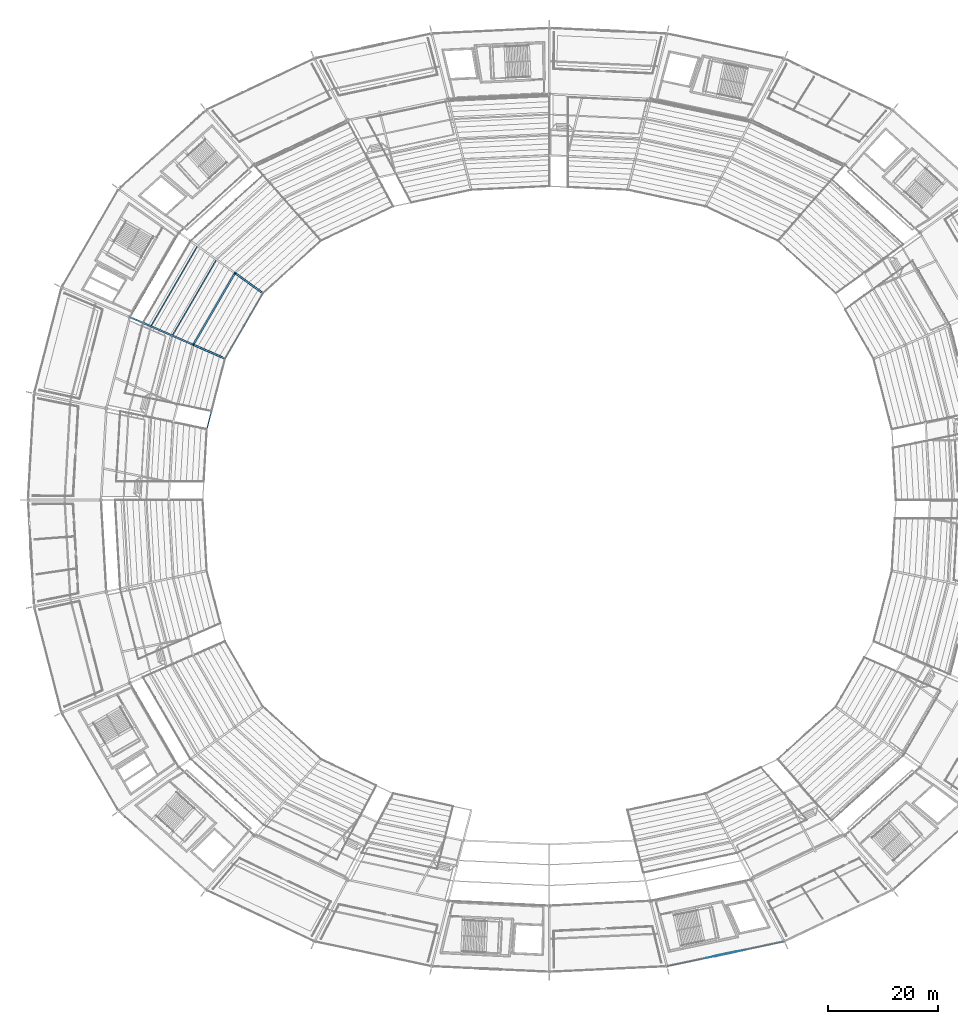
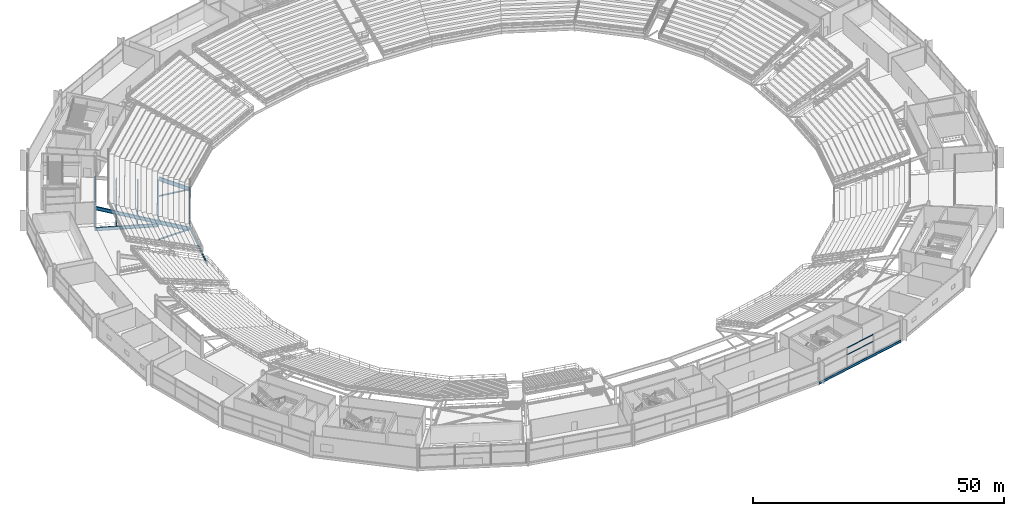
# One storey, part 56 of 186: 11 beams, 4 members, 1 element without a shape of its own.
"""IFC4 building model written with IfcOpenShell, lengths in metres."""

from ifc_helpers import new_model, si_unit, direction, frame, origin, origin_2d, place, context, subcontext, project, spatial, hollow_rectangle, hollow_circle, i_section, extrude, material, layer, layer_set, material_profile, profile_set, type_object, element, aggregate, save


model = new_model("IFC4")

# Units and contexts
model_context = context("Model", 3, precision=1e-05, world=origin(), true_north=direction((0.0, 1.0)))
body_context = subcontext(model_context, "Body", "Model", "MODEL_VIEW")
ifc_project = project(units=[si_unit("LENGTHUNIT", "METRE"), si_unit("AREAUNIT", "SQUARE_METRE"), si_unit("VOLUMEUNIT", "CUBIC_METRE"), si_unit("PLANEANGLEUNIT", "RADIAN"), si_unit("MASSUNIT", "GRAM", prefix="KILO")], contexts=[model_context])

# Site, building, storey
site_placement = place(None, origin())
site = spatial("IfcSite", under=ifc_project, at=site_placement, CompositionType="ELEMENT")
building_placement = place(site_placement, origin())
building = spatial("IfcBuilding", under=site, at=building_placement, Name="Kazemori Nagisa Stadium", CompositionType="ELEMENT")
storey_placement = place(building_placement, frame((0.0, 0.0, 20.39990234375)))
storey = spatial("IfcBuildingStorey", under=building, at=storey_placement, Name="L04", CompositionType="ELEMENT", Elevation=20.39990234375)

# Beams
ifc_material_1 = material(Name="Steel SN490B", Category="steel")
ifc_material_profile_1 = material_profile(ifc_material_1, i_section(OverallWidth=0.300048828125, OverallDepth=0.800048828125, WebThickness=0.013916015625, FlangeThickness=0.02587890625, FilletRadius=0.01806640625, at=origin_2d()), Name="H-800x300x14x26")
ifc_profile_set_1 = profile_set([ifc_material_profile_1], Name="Steel SN490B")
beam_type_1 = type_object("IfcBeamType", Name="Beam_BG-H800", PredefinedType="BEAM", material=ifc_profile_set_1)
beam_1_placement = place(storey_placement, frame((65.698486328125, 143.367431640625, -0.699951171875), z_axis=(-0.501613453924, -0.865091869597, 0.0), x_axis=(0.865091869597, -0.501613453924, 0.0)))
element("IfcBeam", 1, at=beam_1_placement, inside=storey, type_object=beam_type_1, Name="Ring girder BG-H800 L04 R1-12", PredefinedType="BEAM", context=body_context, shape_type="SweptSolid", body=[
    extrude(i_section(OverallWidth=0.300048828125, OverallDepth=0.800048828125, WebThickness=0.013916015625, FlangeThickness=0.02587890625, FilletRadius=0.01806640625, at=origin_2d()), origin(), (0.0, 0.0, 1.0), 15.1201171875),
])
beam_2_placement = place(storey_placement, frame((58.114013671875, 130.287109375, -0.699951171875), z_axis=(-0.916671768981, 0.399640923771, 0.0), x_axis=(-0.399640923771, -0.916671768981, 0.0)))
element("IfcBeam", 2, at=beam_2_placement, inside=storey, type_object=beam_type_1, Name="Radial girder BG-H800 L04 R1-R2-13", PredefinedType="BEAM", context=body_context, shape_type="SweptSolid", body=[
    extrude(i_section(OverallWidth=0.300048828125, OverallDepth=0.800048828125, WebThickness=0.013916015625, FlangeThickness=0.02587890625, FilletRadius=0.01806640625, at=origin_2d()), origin(), (0.0, 0.0, 1.0), 12.605224609375),
])
ifc_material_profile_2 = material_profile(ifc_material_1, i_section(OverallWidth=0.300048828125, OverallDepth=0.89990234375, WebThickness=0.01611328125, FlangeThickness=0.028076171875, FilletRadius=0.01806640625, at=origin_2d()), Name="H-900x300x16x28")
ifc_profile_set_2 = profile_set([ifc_material_profile_2], Name="Steel SN490B")
beam_type_2 = type_object("IfcBeamType", Name="Beam_BG-H900", PredefinedType="BEAM", material=ifc_profile_set_2)
beam_3_placement = place(storey_placement, frame((55.493896484375, 150.734130859375, -0.75), z_axis=(-0.501606704589, -0.865095783085, 0.0), x_axis=(0.865095783085, -0.501606704589, 0.0)))
element("IfcBeam", 3, at=beam_3_placement, inside=storey, type_object=beam_type_2, Name="Ring girder BG-H900 L04 R2-12", PredefinedType="BEAM", context=body_context, shape_type="SweptSolid", body=[
    extrude(i_section(OverallWidth=0.300048828125, OverallDepth=0.89990234375, WebThickness=0.01611328125, FlangeThickness=0.028076171875, FilletRadius=0.01806640625, at=origin_2d()), origin(), (0.0, 0.0, 1.0), 17.8125),
])
ifc_material_profile_3 = material_profile(ifc_material_1, i_section(OverallWidth=0.199951171875, OverallDepth=0.39990234375, WebThickness=0.008056640625, FlangeThickness=0.012939453125, FilletRadius=0.012939453125, at=origin_2d()), Name="H-400x200x8x13")
ifc_profile_set_3 = profile_set([ifc_material_profile_3], Name="Steel SN490B")
beam_type_3 = type_object("IfcBeamType", Name="Beam_BJ-H400", PredefinedType="JOIST", material=ifc_profile_set_3)
beam_4_placement = place(storey_placement, frame((62.250244140625, 145.6787109375, -0.5), z_axis=(-0.501603039788, -0.865097908028, 0.0), x_axis=(0.865097908028, -0.501603039788, 0.0)))
element("IfcBeam", 4, at=beam_4_placement, inside=storey, type_object=beam_type_3, Name="Concourse joist BJ-H400 L04 B12-1", PredefinedType="JOIST", context=body_context, shape_type="SweptSolid", body=[
    extrude(i_section(OverallWidth=0.199951171875, OverallDepth=0.39990234375, WebThickness=0.008056640625, FlangeThickness=0.012939453125, FilletRadius=0.012939453125, at=origin_2d()), origin(), (0.0, 0.0, 1.0), 15.720703125),
])
beam_5_placement = place(storey_placement, frame((58.796630859375, 148.172119140625, -0.5), z_axis=(-0.501611321485, -0.865093106063, 0.0), x_axis=(0.865093106063, -0.501611321485, 0.0)))
element("IfcBeam", 5, at=beam_5_placement, inside=storey, type_object=beam_type_3, Name="Concourse joist BJ-H400 L04 B12-2", PredefinedType="JOIST", context=body_context, shape_type="SweptSolid", body=[
    extrude(i_section(OverallWidth=0.199951171875, OverallDepth=0.39990234375, WebThickness=0.008056640625, FlangeThickness=0.012939453125, FilletRadius=0.012939453125, at=origin_2d()), origin(), (0.0, 0.0, 1.0), 16.6318359375),
])
ifc_material_profile_4 = material_profile(ifc_material_1, i_section(OverallWidth=0.199951171875, OverallDepth=0.60009765625, WebThickness=0.010986328125, FlangeThickness=0.01708984375, FilletRadius=0.012939453125, at=origin_2d()), Name="H-600x200x11x17")
ifc_profile_set_4 = profile_set([ifc_material_profile_4], Name="Steel SN490B")
beam_type_4 = type_object("IfcBeamType", Name="Beam_BS-H600", PredefinedType="SPANDREL", material=ifc_profile_set_4)
beam_6_placement = place(storey_placement, frame((144.427734375, 17.01318359375, -0.599853515625), z_axis=(0.97834587432, 0.206976689994, 0.0), x_axis=(-0.206976689994, 0.97834587432, 0.0)))
element("IfcBeam", 6, at=beam_6_placement, inside=storey, type_object=beam_type_4, Name="Ring girder BS-H600 L04 R3-23", PredefinedType="SPANDREL", context=body_context, shape_type="SweptSolid", body=[
    extrude(i_section(OverallWidth=0.199951171875, OverallDepth=0.60009765625, WebThickness=0.010986328125, FlangeThickness=0.01708984375, FilletRadius=0.012939453125, at=origin_2d()), origin(), (0.0, 0.0, 1.0), 21.85009765625),
])
beam_7_placement = place(storey_placement, frame((70.800537109375, 139.68408203125, -1.885009765625), z_axis=(-0.501605611908, -0.865096416651, 0.0), x_axis=(0.865096416651, -0.501605611908, 0.0)))
element("IfcBeam", 7, at=beam_7_placement, inside=storey, type_object=beam_type_4, Name="Upper tier front ring beam 12", PredefinedType="SPANDREL", context=body_context, shape_type="SweptSolid", body=[
    extrude(i_section(OverallWidth=0.199951171875, OverallDepth=0.60009765625, WebThickness=0.010986328125, FlangeThickness=0.01708984375, FilletRadius=0.012939453125, at=origin_2d()), origin(), (0.0, 0.0, 1.0), 13.773681640625),
])
beam_8_placement = place(storey_placement, frame((63.8916015625, 127.7685546875, -1.885009765625), z_axis=(-0.249962460732, -0.968255528373, 0.0), x_axis=(0.968255528373, -0.249962460732, 0.0)))
element("IfcBeam", 8, at=beam_8_placement, inside=storey, type_object=beam_type_4, Name="Upper tier front ring beam 13", PredefinedType="SPANDREL", context=body_context, shape_type="SweptSolid", body=[
    extrude(i_section(OverallWidth=0.199951171875, OverallDepth=0.60009765625, WebThickness=0.010986328125, FlangeThickness=0.01708984375, FilletRadius=0.012939453125, at=origin_2d()), origin(), (0.0, 0.0, 1.0), 13.291015625),
])
ifc_material_profile_5 = material_profile(ifc_material_1, i_section(OverallWidth=0.300048828125, OverallDepth=0.800048828125, WebThickness=0.013916015625, FlangeThickness=0.02587890625, FilletRadius=0.01806640625, at=origin_2d()), Name="H-800x300x14x26")
ifc_profile_set_5 = profile_set([ifc_material_profile_5], Name="Steel SN490B")
beam_type_5 = type_object("IfcBeamType", Name="Beam_RK-ST800", PredefinedType="USERDEFINED", material=ifc_profile_set_5)
beam_9_placement = place(storey_placement, frame((58.114013671875, 130.287109375, 0.02001953125), z_axis=(-0.864815739813, 0.377033277173, 0.331571476571), x_axis=(-0.399640923771, -0.916671768981, 0.0)))
element("IfcBeam", 9, at=beam_9_placement, inside=storey, type_object=beam_type_5, Name="Raker beam upper backspan RK3-13B", ObjectType="RAKER BEAM", PredefinedType="USERDEFINED", context=body_context, shape_type="SweptSolid", body=[
    extrude(i_section(OverallWidth=0.300048828125, OverallDepth=0.800048828125, WebThickness=0.013916015625, FlangeThickness=0.02587890625, FilletRadius=0.01806640625, at=origin_2d()), origin(), (0.0, 0.0, 1.0), 13.361083984375),
])
ifc_material_profile_6 = material_profile(ifc_material_1, i_section(OverallWidth=0.300048828125, OverallDepth=0.89990234375, WebThickness=0.01611328125, FlangeThickness=0.028076171875, FilletRadius=0.01806640625, at=origin_2d()), Name="H-900x300x16x28")
ifc_profile_set_6 = profile_set([ifc_material_profile_6], Name="Steel SN490B")
beam_type_6 = type_object("IfcBeamType", Name="Beam_RK-ST900", PredefinedType="USERDEFINED", material=ifc_profile_set_6)
beam_10_placement = place(storey_placement, frame((70.800537109375, 139.68408203125, -2.14990234375), z_axis=(-0.766497640218, 0.553361560818, 0.325994402635), x_axis=(-0.585337557013, -0.810789704147, 0.0)))
element("IfcBeam", 10, at=beam_10_placement, inside=storey, type_object=beam_type_6, Name="Raker beam upper cantilever RK3-12A", ObjectType="RAKER BEAM", PredefinedType="USERDEFINED", context=body_context, shape_type="SweptSolid", body=[
    extrude(i_section(OverallWidth=0.300048828125, OverallDepth=0.89990234375, WebThickness=0.01611328125, FlangeThickness=0.028076171875, FilletRadius=0.01806640625, at=origin_2d()), origin(), (0.0, 0.0, 1.0), 6.65625),
])
beam_11_placement = place(storey_placement, frame((63.8916015625, 127.7685546875, -2.14990234375), z_axis=(-0.866757582883, 0.377835251427, 0.325533124727), x_axis=(-0.399601278701, -0.916689052002, 0.0)))
element("IfcBeam", 11, at=beam_11_placement, inside=storey, type_object=beam_type_6, Name="Raker beam upper cantilever RK3-13A", ObjectType="RAKER BEAM", PredefinedType="USERDEFINED", context=body_context, shape_type="SweptSolid", body=[
    extrude(i_section(OverallWidth=0.300048828125, OverallDepth=0.89990234375, WebThickness=0.01611328125, FlangeThickness=0.028076171875, FilletRadius=0.01806640625, at=origin_2d()), origin(), (0.0, 0.0, 1.0), 6.665771484375),
])

# Members
ifc_material_2 = material(Name="Steel STK490", Category="steel")
ifc_material_profile_7 = material_profile(ifc_material_2, hollow_circle(Radius=0.177734375, WallThickness=0.0126953125, at=origin_2d()), Name="CHS-355.6x12.7")
ifc_profile_set_7 = profile_set([ifc_material_profile_7], Name="Steel STK490")
member_type_1 = type_object("IfcMemberType", Name="Member_TB-CHS355", PredefinedType="BRACE", material=ifc_profile_set_7)
member_1_placement = place(storey_placement, frame((65.698486328125, 143.367431640625, -4.25), z_axis=(0.769089714942, -0.555232870577, 0.316571429224), x_axis=(0.585337557013, 0.810789704147, 0.0)))
element("IfcMember", 12, at=member_1_placement, inside=storey, type_object=member_type_1, Name="Upper tier cantilever truss strut UT-12", PredefinedType="BRACE", context=body_context, shape_type="SweptSolid", body=[
    extrude(hollow_circle(Radius=0.177734375, WallThickness=0.0126953125, at=origin_2d()), origin(), (0.0, 0.0, 1.0), 6.6337890625),
])
member_2_placement = place(storey_placement, frame((58.114013671875, 130.287109375, -4.25), z_axis=(0.869680376802, -0.379109349972, 0.316120456423), x_axis=(0.399601278701, 0.916689052002, 0.0)))
element("IfcMember", 13, at=member_2_placement, inside=storey, type_object=member_type_1, Name="Upper tier cantilever truss strut UT-13", PredefinedType="BRACE", context=body_context, shape_type="SweptSolid", body=[
    extrude(hollow_circle(Radius=0.177734375, WallThickness=0.0126953125, at=origin_2d()), origin(), (0.0, 0.0, 1.0), 6.643310546875),
])

# Curtain wall, members
ifc_material_3 = material(Name="Anodised aluminium 6063-T5", Category="aluminium")
ifc_layer = layer(ifc_material_3, 0.179931640625, Name="Anodised aluminium 6063-T5", Category="aluminium")
ifc_layer_set = layer_set([ifc_layer], Name="Anodised aluminium 6063-T5")
curtain_wall_type = type_object("IfcCurtainWallType", Name="CW_L04R3_107", PredefinedType="USERDEFINED", material=ifc_layer_set)
curtain_wall_placement = place(storey_placement, origin())
curtain_wall = element("IfcCurtainWall", 14, at=curtain_wall_placement, inside=storey, type_object=curtain_wall_type, Name="Unitised curtain wall CW-L04R3-107 L04", ObjectType="UNITISED CURTAIN WALL", PredefinedType="USERDEFINED")
ifc_material_4 = material(Name="Aluminium 6063-T5 anodised", Category="aluminium")
ifc_material_profile_8 = material_profile(ifc_material_4, hollow_rectangle(XDim=0.070068359375, YDim=0.139892578125, WallThickness=0.00390625, at=origin_2d()), Name="ALU-TRAN-70x140x4")
ifc_profile_set_8 = profile_set([ifc_material_profile_8], Name="Aluminium 6063-T5 anodised")
member_type_2 = type_object("IfcMemberType", Name="Transom_T01", PredefinedType="USERDEFINED", material=ifc_profile_set_8)
member_3_placement = place(storey_placement, frame((151.656005859375, 18.54248046875, 2.80859375), z_axis=(0.978344595915, 0.206982732721, 0.0), x_axis=(-0.206982732721, 0.978344595915, 0.0)))
member_3 = element("IfcMember", 15, at=member_3_placement, type_object=member_type_2, Name="Curtain wall transom CW-L04R3-107-T2-mid", ObjectType="TRANSOM", PredefinedType="USERDEFINED", context=body_context, shape_type="SweptSolid", body=[
    extrude(hollow_rectangle(XDim=0.070068359375, YDim=0.139892578125, WallThickness=0.00390625, at=origin_2d()), origin(), (0.0, 0.0, 1.0), 7.073486328125),
])
member_4_placement = place(storey_placement, frame((151.656005859375, 18.54248046875, 4.460205078125), z_axis=(0.978344595915, 0.206982732721, 0.0), x_axis=(-0.206982732721, 0.978344595915, 0.0)))
member_4 = element("IfcMember", 16, at=member_4_placement, type_object=member_type_2, Name="Curtain wall transom CW-L04R3-107-T2-head", ObjectType="TRANSOM", PredefinedType="USERDEFINED", context=body_context, shape_type="SweptSolid", body=[
    extrude(hollow_rectangle(XDim=0.070068359375, YDim=0.139892578125, WallThickness=0.00390625, at=origin_2d()), origin(), (0.0, 0.0, 1.0), 7.073486328125),
])
aggregate(curtain_wall, [member_3, member_4])

save(model, "model.ifc")
